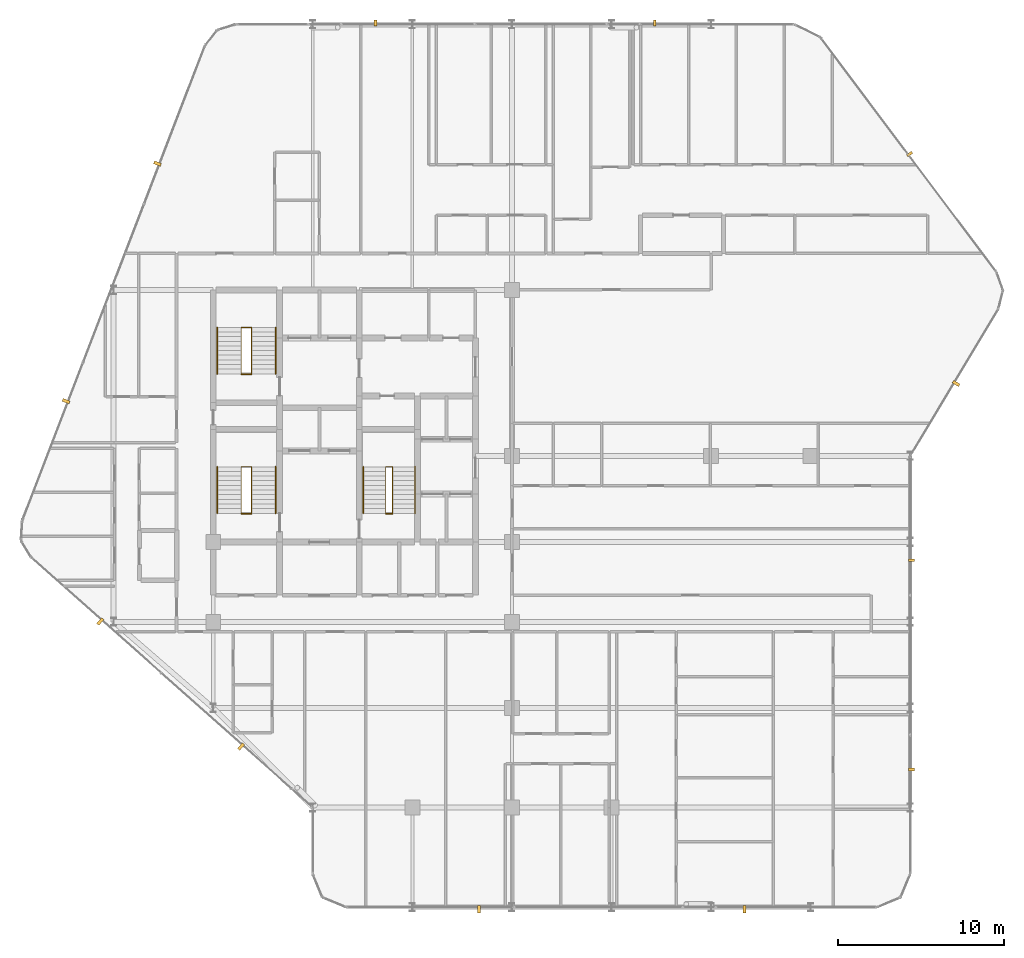
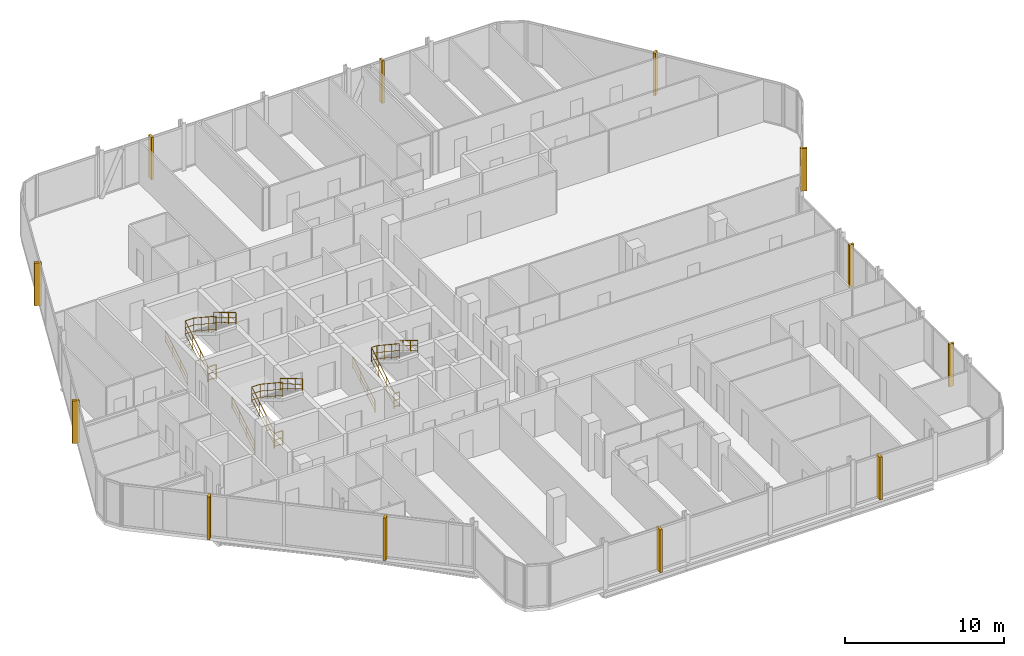
# One storey, part 31 of 31: 12 coverings, 12 railings.
"""IFC4 building model written with IfcOpenShell, lengths in metres."""

from ifc_helpers import new_model, si_unit, direction, frame, origin, origin_2d, place, context, subcontext, project, spatial, rectangle, circle, extrude, material, layer, layer_set, type_object, element, save


model = new_model("IFC4")

# Units and contexts
model_context = context("Model", 3, precision=1e-05, world=origin(), true_north=direction((0.0, 1.0)))
body_context = subcontext(model_context, "Body", "Model", "MODEL_VIEW")
ifc_project = project(units=[si_unit("LENGTHUNIT", "METRE"), si_unit("AREAUNIT", "SQUARE_METRE"), si_unit("VOLUMEUNIT", "CUBIC_METRE"), si_unit("PLANEANGLEUNIT", "RADIAN"), si_unit("MASSUNIT", "GRAM", prefix="KILO")], contexts=[model_context])

# Site, building, storey
site_placement = place(None, origin())
site = spatial("IfcSite", under=ifc_project, at=site_placement, CompositionType="ELEMENT")
building_placement = place(site_placement, origin())
building = spatial("IfcBuilding", under=site, at=building_placement, Name="Keshet Zoharim Tower", CompositionType="ELEMENT")
storey_placement = place(building_placement, frame((0.0, 0.0, 155.699951171875)))
storey = spatial("IfcBuildingStorey", under=building, at=storey_placement, Name="L38", CompositionType="ELEMENT", Elevation=155.699951171875)

# Coverings
ifc_material_1 = material(Name="Concrete C50/60 precast", Category="concrete")
covering_type_1 = type_object("IfcCoveringType", Name="FIN-SOL-360", PredefinedType="CLADDING", material=ifc_material_1)
for number, where, z_axis, x_axis, name in (
    (1, (24.780029296875, 53.97998046875, 0.0), (0.0, 0.0, 1.0), (1.0, 0.0, 0.0), "L38 Vertical Precast Solar Fin 07"),
    (2, (41.593994140625, 53.97998046875, 0.0), (0.0, 0.0, 1.0), (1.0, 0.0, 0.0), "L38 Vertical Precast Solar Fin 08"),
    (3, (56.9609375, 46.0859375, 0.0), (0.0, 0.0, 1.0), (0.600000000002, -0.799999999998, 0.0), "L38 Vertical Precast Solar Fin 09"),
    (4, (57.080078125, 21.60009765625, 0.0), (0.0, 0.0, 1.0), (0.0, -1.0, 0.0), "L38 Vertical Precast Solar Fin 11"),
    (5, (57.080078125, 9.0, 0.0), (0.0, 0.0, 1.0), (0.0, -1.0, 0.0), "L38 Vertical Precast Solar Fin 12"),
):
    element("IfcCovering", number, at=place(storey_placement, frame(where, z_axis=z_axis, x_axis=x_axis)), inside=storey, type_object=covering_type_1, Name=name, PredefinedType="CLADDING", context=body_context, shape_type="SweptSolid", body=[
        extrude(rectangle(XDim=0.159912109375, YDim=0.360107421875, at=origin_2d()), origin(), (0.0, 0.0, 1.0), 3.280029296875),
    ])
covering_type_2 = type_object("IfcCoveringType", Name="FIN-SOL-450", PredefinedType="CLADDING", material=ifc_material_1)
for number, where, z_axis, x_axis, name in (
    (6, (47.0, 0.574951171875, 0.0), (0.0, 0.0, 1.0), (-1.0, 0.0, 0.0), "L38 Vertical Precast Solar Fin 01"),
    (7, (31.0, 0.574951171875, 0.0), (0.0, 0.0, 1.0), (-1.0, 0.0, 0.0), "L38 Vertical Precast Solar Fin 02"),
    (8, (16.676025390625, 10.376953125, 0.0), (0.0, 0.0, 1.0), (-0.747409318679, 0.664363838836, 0.0), "L38 Vertical Precast Solar Fin 03"),
    (9, (8.193115234375, 17.9169921875, 0.0), (0.0, 0.0, 1.0), (-0.747409318679, 0.664363838836, 0.0), "L38 Vertical Precast Solar Fin 04"),
    (10, (6.133056640625, 31.194091796875, 0.0), (0.0, 0.0, 1.0), (0.358990003907, 0.933341404361, 0.0), "L38 Vertical Precast Solar Fin 05"),
    (11, (11.637939453125, 45.507080078125, 0.0), (0.0, 0.0, 1.0), (0.358990003907, 0.933341404361, 0.0), "L38 Vertical Precast Solar Fin 06"),
    (12, (59.760986328125, 32.259033203125, 0.0), (0.0, 0.0, 1.0), (-0.514481501576, -0.857501477862, 0.0), "L38 Vertical Precast Solar Fin 10"),
):
    element("IfcCovering", number, at=place(storey_placement, frame(where, z_axis=z_axis, x_axis=x_axis)), inside=storey, type_object=covering_type_2, Name=name, PredefinedType="CLADDING", context=body_context, shape_type="SweptSolid", body=[
        extrude(rectangle(XDim=0.179931640625, YDim=0.449951171875, at=origin_2d()), origin(), (0.0, 0.0, 1.0), 3.280029296875),
    ])

# Railings
ifc_material_2 = material(Name="Steel S355", Category="steel")
ifc_layer_1 = layer(ifc_material_2, 0.050048828125)
ifc_layer_set_1 = layer_set([ifc_layer_1], Name="Steel S355")
railing_type_1 = type_object("IfcRailingType", Name="RL-HND-092", PredefinedType="HANDRAIL", material=ifc_layer_set_1)
railing_1_placement = place(storey_placement, frame((15.239990234375, 24.43994140625, 0.168212890625)))
element("IfcRailing", 13, at=railing_1_placement, inside=storey, type_object=railing_type_1, Name="L38 ST-01 Flight 1 Wall Handrail", PredefinedType="HANDRAIL", context=body_context, shape_type="SweptSolid", body=[
    extrude(circle(Radius=0.02392578125, at=origin_2d()), frame((0.0, 0.0, 0.89599609375), z_axis=(0.0, 0.857242210791, 0.514913383045), x_axis=(-1.0, 0.0, 0.0)), (0.0, 0.0, 1.0), 3.266357421875),
    extrude(circle(Radius=0.01611328125, at=origin_2d()), frame((0.0, 0.0, 0.478271484375), z_axis=(0.0, 0.857242210791, 0.514913383045), x_axis=(-1.0, 0.0, 0.0)), (0.0, 0.0, 1.0), 3.266357421875),
    extrude(circle(Radius=0.01611328125, at=origin_2d()), frame((0.0, 0.0, 0.1201171875), z_axis=(0.0, 0.857242210791, 0.514913383045), x_axis=(-1.0, 0.0, 0.0)), (0.0, 0.0, 1.0), 3.266357421875),
    extrude(circle(Radius=0.02099609375, at=origin_2d()), origin(), (0.0, 0.0, 1.0), 0.871826171875),
    extrude(circle(Radius=0.02099609375, at=origin_2d()), frame((0.0, 0.933349609375, 0.560546875)), (0.0, 0.0, 1.0), 0.871826171875),
    extrude(circle(Radius=0.02099609375, at=origin_2d()), frame((0.0, 1.86669921875, 1.121337890625)), (0.0, 0.0, 1.0), 0.871826171875),
    extrude(circle(Radius=0.02099609375, at=origin_2d()), frame((0.0, 2.800048828125, 1.681884765625)), (0.0, 0.0, 1.0), 0.871826171875),
])
railing_2_placement = place(storey_placement, frame((18.760009765625, 27.239990234375, 2.018310546875)))
element("IfcRailing", 14, at=railing_2_placement, inside=storey, type_object=railing_type_1, Name="L38 ST-01 Flight 2 Wall Handrail", PredefinedType="HANDRAIL", context=body_context, shape_type="SweptSolid", body=[
    extrude(circle(Radius=0.02392578125, at=origin_2d()), frame((0.0, 0.0, 0.89599609375), z_axis=(0.0, -0.857275202839, 0.514858452973), x_axis=(1.0, 0.0, 0.0)), (0.0, 0.0, 1.0), 3.26611328125),
    extrude(circle(Radius=0.01611328125, at=origin_2d()), frame((0.0, 0.0, 0.478271484375), z_axis=(0.0, -0.857275202839, 0.514858452973), x_axis=(1.0, 0.0, 0.0)), (0.0, 0.0, 1.0), 3.26611328125),
    extrude(circle(Radius=0.01611328125, at=origin_2d()), frame((0.0, 0.0, 0.1201171875), z_axis=(0.0, -0.857275202839, 0.514858452973), x_axis=(1.0, 0.0, 0.0)), (0.0, 0.0, 1.0), 3.26611328125),
    extrude(circle(Radius=0.02099609375, at=origin_2d()), origin(), (0.0, 0.0, 1.0), 0.871826171875),
    extrude(circle(Radius=0.02099609375, at=origin_2d()), frame((0.0, -0.933349609375, 0.560546875)), (0.0, 0.0, 1.0), 0.871826171875),
    extrude(circle(Radius=0.02099609375, at=origin_2d()), frame((0.0, -1.86669921875, 1.12109375)), (0.0, 0.0, 1.0), 0.871826171875),
    extrude(circle(Radius=0.02099609375, at=origin_2d()), frame((0.0, -2.800048828125, 1.681640625)), (0.0, 0.0, 1.0), 0.871826171875),
])
railing_3_placement = place(storey_placement, frame((15.239990234375, 32.840087890625, 0.168212890625)))
element("IfcRailing", 15, at=railing_3_placement, inside=storey, type_object=railing_type_1, Name="L38 ST-02 Flight 1 Wall Handrail", PredefinedType="HANDRAIL", context=body_context, shape_type="SweptSolid", body=[
    extrude(circle(Radius=0.02392578125, at=origin_2d()), frame((0.0, 0.0, 0.89599609375), z_axis=(0.0, 0.857222391501, 0.514946377315), x_axis=(-1.0, 0.0, 0.0)), (0.0, 0.0, 1.0), 3.26611328125),
    extrude(circle(Radius=0.01611328125, at=origin_2d()), frame((0.0, 0.0, 0.478271484375), z_axis=(0.0, 0.857222391501, 0.514946377315), x_axis=(-1.0, 0.0, 0.0)), (0.0, 0.0, 1.0), 3.26611328125),
    extrude(circle(Radius=0.01611328125, at=origin_2d()), frame((0.0, 0.0, 0.1201171875), z_axis=(0.0, 0.857222391501, 0.514946377315), x_axis=(-1.0, 0.0, 0.0)), (0.0, 0.0, 1.0), 3.26611328125),
    extrude(circle(Radius=0.02099609375, at=origin_2d()), origin(), (0.0, 0.0, 1.0), 0.871826171875),
    extrude(circle(Radius=0.02099609375, at=origin_2d()), frame((0.0, 0.933349609375, 0.560546875)), (0.0, 0.0, 1.0), 0.871826171875),
    extrude(circle(Radius=0.02099609375, at=origin_2d()), frame((0.0, 1.866455078125, 1.121337890625)), (0.0, 0.0, 1.0), 0.871826171875),
    extrude(circle(Radius=0.02099609375, at=origin_2d()), frame((0.0, 2.7998046875, 1.681884765625)), (0.0, 0.0, 1.0), 0.871826171875),
])
railing_4_placement = place(storey_placement, frame((18.760009765625, 35.639892578125, 2.018310546875)))
element("IfcRailing", 16, at=railing_4_placement, inside=storey, type_object=railing_type_1, Name="L38 ST-02 Flight 2 Wall Handrail", PredefinedType="HANDRAIL", context=body_context, shape_type="SweptSolid", body=[
    extrude(circle(Radius=0.02392578125, at=origin_2d()), frame((0.0, 0.0, 0.89599609375), z_axis=(0.0, -0.857255387014, 0.514891446264), x_axis=(1.0, 0.0, 0.0)), (0.0, 0.0, 1.0), 3.26611328125),
    extrude(circle(Radius=0.01611328125, at=origin_2d()), frame((0.0, 0.0, 0.478271484375), z_axis=(0.0, -0.857255387014, 0.514891446264), x_axis=(1.0, 0.0, 0.0)), (0.0, 0.0, 1.0), 3.26611328125),
    extrude(circle(Radius=0.01611328125, at=origin_2d()), frame((0.0, 0.0, 0.1201171875), z_axis=(0.0, -0.857255387014, 0.514891446264), x_axis=(1.0, 0.0, 0.0)), (0.0, 0.0, 1.0), 3.26611328125),
    extrude(circle(Radius=0.02099609375, at=origin_2d()), origin(), (0.0, 0.0, 1.0), 0.871826171875),
    extrude(circle(Radius=0.02099609375, at=origin_2d()), frame((0.0, -0.933349609375, 0.560546875)), (0.0, 0.0, 1.0), 0.871826171875),
    extrude(circle(Radius=0.02099609375, at=origin_2d()), frame((0.0, -1.866455078125, 1.12109375)), (0.0, 0.0, 1.0), 0.871826171875),
    extrude(circle(Radius=0.02099609375, at=origin_2d()), frame((0.0, -2.7998046875, 1.681640625)), (0.0, 0.0, 1.0), 0.871826171875),
])
railing_5_placement = place(storey_placement, frame((24.0400390625, 24.43994140625, 0.168212890625)))
element("IfcRailing", 17, at=railing_5_placement, inside=storey, type_object=railing_type_1, Name="L38 ST-03 Flight 1 Wall Handrail", PredefinedType="HANDRAIL", context=body_context, shape_type="SweptSolid", body=[
    extrude(circle(Radius=0.02392578125, at=origin_2d()), frame((0.0, 0.0, 0.89599609375), z_axis=(0.0, 0.857242210791, 0.514913383045), x_axis=(-1.0, 0.0, 0.0)), (0.0, 0.0, 1.0), 3.266357421875),
    extrude(circle(Radius=0.01611328125, at=origin_2d()), frame((0.0, 0.0, 0.478271484375), z_axis=(0.0, 0.857242210791, 0.514913383045), x_axis=(-1.0, 0.0, 0.0)), (0.0, 0.0, 1.0), 3.266357421875),
    extrude(circle(Radius=0.01611328125, at=origin_2d()), frame((0.0, 0.0, 0.1201171875), z_axis=(0.0, 0.857242210791, 0.514913383045), x_axis=(-1.0, 0.0, 0.0)), (0.0, 0.0, 1.0), 3.266357421875),
    extrude(circle(Radius=0.02099609375, at=origin_2d()), origin(), (0.0, 0.0, 1.0), 0.871826171875),
    extrude(circle(Radius=0.02099609375, at=origin_2d()), frame((0.0, 0.933349609375, 0.560546875)), (0.0, 0.0, 1.0), 0.871826171875),
    extrude(circle(Radius=0.02099609375, at=origin_2d()), frame((0.0, 1.86669921875, 1.121337890625)), (0.0, 0.0, 1.0), 0.871826171875),
    extrude(circle(Radius=0.02099609375, at=origin_2d()), frame((0.0, 2.800048828125, 1.681884765625)), (0.0, 0.0, 1.0), 0.871826171875),
])
railing_6_placement = place(storey_placement, frame((27.159912109375, 27.239990234375, 2.018310546875)))
element("IfcRailing", 18, at=railing_6_placement, inside=storey, type_object=railing_type_1, Name="L38 ST-03 Flight 2 Wall Handrail", PredefinedType="HANDRAIL", context=body_context, shape_type="SweptSolid", body=[
    extrude(circle(Radius=0.02392578125, at=origin_2d()), frame((0.0, 0.0, 0.89599609375), z_axis=(0.0, -0.857275202839, 0.514858452973), x_axis=(1.0, 0.0, 0.0)), (0.0, 0.0, 1.0), 3.26611328125),
    extrude(circle(Radius=0.01611328125, at=origin_2d()), frame((0.0, 0.0, 0.478271484375), z_axis=(0.0, -0.857275202839, 0.514858452973), x_axis=(1.0, 0.0, 0.0)), (0.0, 0.0, 1.0), 3.26611328125),
    extrude(circle(Radius=0.01611328125, at=origin_2d()), frame((0.0, 0.0, 0.1201171875), z_axis=(0.0, -0.857275202839, 0.514858452973), x_axis=(1.0, 0.0, 0.0)), (0.0, 0.0, 1.0), 3.26611328125),
    extrude(circle(Radius=0.02099609375, at=origin_2d()), origin(), (0.0, 0.0, 1.0), 0.871826171875),
    extrude(circle(Radius=0.02099609375, at=origin_2d()), frame((0.0, -0.933349609375, 0.560546875)), (0.0, 0.0, 1.0), 0.871826171875),
    extrude(circle(Radius=0.02099609375, at=origin_2d()), frame((0.0, -1.86669921875, 1.12109375)), (0.0, 0.0, 1.0), 0.871826171875),
    extrude(circle(Radius=0.02099609375, at=origin_2d()), frame((0.0, -2.800048828125, 1.681640625)), (0.0, 0.0, 1.0), 0.871826171875),
])
ifc_layer_2 = layer(ifc_material_2, 0.06005859375)
ifc_layer_set_2 = layer_set([ifc_layer_2], Name="Steel S355")
railing_type_2 = type_object("IfcRailingType", Name="RL-STG-115", PredefinedType="GUARDRAIL", material=ifc_layer_set_2)
railing_7_placement = place(storey_placement, frame((16.68994140625, 24.43994140625, 0.168212890625)))
element("IfcRailing", 19, at=railing_7_placement, inside=storey, type_object=railing_type_2, Name="L38 ST-01 Inner Well Guardrail", PredefinedType="GUARDRAIL", context=body_context, shape_type="SweptSolid", body=[
    extrude(circle(Radius=0.02392578125, at=origin_2d()), frame((0.0, 0.0, 1.1259765625), z_axis=(0.0, 0.857242210791, 0.514913383045), x_axis=(-1.0, 0.0, 0.0)), (0.0, 0.0, 1.0), 3.266357421875),
    extrude(circle(Radius=0.01611328125, at=origin_2d()), frame((0.0, 0.0, 0.597900390625), z_axis=(0.0, 0.857242210791, 0.514913383045), x_axis=(-1.0, 0.0, 0.0)), (0.0, 0.0, 1.0), 3.266357421875),
    extrude(circle(Radius=0.01611328125, at=origin_2d()), frame((0.0, 0.0, 0.1201171875), z_axis=(0.0, 0.857242210791, 0.514913383045), x_axis=(-1.0, 0.0, 0.0)), (0.0, 0.0, 1.0), 3.266357421875),
    extrude(circle(Radius=0.02392578125, at=origin_2d()), frame((0.0, 2.800048828125, 2.8076171875), z_axis=(1.0, 0.0, 0.0), x_axis=(0.0, 1.0, 0.0)), (0.0, 0.0, 1.0), 0.6201171875),
    extrude(circle(Radius=0.01611328125, at=origin_2d()), frame((0.0, 2.800048828125, 2.27978515625), z_axis=(1.0, 0.0, 0.0), x_axis=(0.0, 1.0, 0.0)), (0.0, 0.0, 1.0), 0.6201171875),
    extrude(circle(Radius=0.01611328125, at=origin_2d()), frame((0.0, 2.800048828125, 1.802001953125), z_axis=(1.0, 0.0, 0.0), x_axis=(0.0, 1.0, 0.0)), (0.0, 0.0, 1.0), 0.6201171875),
    extrude(circle(Radius=0.02392578125, at=origin_2d()), frame((0.6201171875, 2.800048828125, 2.8076171875), z_axis=(0.0, -0.83435981716, 0.551220187865), x_axis=(1.0, 0.0, 0.0)), (0.0, 0.0, 1.0), 3.35595703125),
    extrude(circle(Radius=0.01611328125, at=origin_2d()), frame((0.6201171875, 2.800048828125, 2.27978515625), z_axis=(0.0, -0.83435981716, 0.551220187865), x_axis=(1.0, 0.0, 0.0)), (0.0, 0.0, 1.0), 3.35595703125),
    extrude(circle(Radius=0.01611328125, at=origin_2d()), frame((0.6201171875, 2.800048828125, 1.802001953125), z_axis=(0.0, -0.83435981716, 0.551220187865), x_axis=(1.0, 0.0, 0.0)), (0.0, 0.0, 1.0), 3.35595703125),
    extrude(circle(Radius=0.02099609375, at=origin_2d()), origin(), (0.0, 0.0, 1.0), 1.101806640625),
    extrude(circle(Radius=0.02099609375, at=origin_2d()), frame((0.0, 0.933349609375, 0.560546875)), (0.0, 0.0, 1.0), 1.101806640625),
    extrude(circle(Radius=0.02099609375, at=origin_2d()), frame((0.0, 1.86669921875, 1.121337890625)), (0.0, 0.0, 1.0), 1.101806640625),
    extrude(circle(Radius=0.02099609375, at=origin_2d()), frame((0.0, 2.800048828125, 1.681884765625)), (0.0, 0.0, 1.0), 1.101806640625),
    extrude(circle(Radius=0.02099609375, at=origin_2d()), frame((0.6201171875, 2.800048828125, 1.681884765625)), (0.0, 0.0, 1.0), 1.101806640625),
    extrude(circle(Radius=0.02099609375, at=origin_2d()), frame((0.6201171875, 1.86669921875, 2.298583984375)), (0.0, 0.0, 1.0), 1.101806640625),
    extrude(circle(Radius=0.02099609375, at=origin_2d()), frame((0.6201171875, 0.933349609375, 2.9150390625)), (0.0, 0.0, 1.0), 1.101806640625),
    extrude(circle(Radius=0.02099609375, at=origin_2d()), frame((0.6201171875, 0.0, 3.53173828125)), (0.0, 0.0, 1.0), 1.101806640625),
])
railing_8_placement = place(storey_placement, frame((16.68994140625, 24.409912109375, 0.0)))
element("IfcRailing", 20, at=railing_8_placement, inside=storey, type_object=railing_type_2, Name="L38 ST-01 Stairwell Floor Guardrail", PredefinedType="GUARDRAIL", context=body_context, shape_type="SweptSolid", body=[
    extrude(circle(Radius=0.02392578125, at=origin_2d()), frame((0.0, 0.0, 1.1259765625), z_axis=(1.0, 0.0, 0.0), x_axis=(0.0, 1.0, 0.0)), (0.0, 0.0, 1.0), 0.6201171875),
    extrude(circle(Radius=0.01611328125, at=origin_2d()), frame((0.0, 0.0, 0.597900390625), z_axis=(1.0, 0.0, 0.0), x_axis=(0.0, 1.0, 0.0)), (0.0, 0.0, 1.0), 0.6201171875),
    extrude(circle(Radius=0.01611328125, at=origin_2d()), frame((0.0, 0.0, 0.1201171875), z_axis=(1.0, 0.0, 0.0), x_axis=(0.0, 1.0, 0.0)), (0.0, 0.0, 1.0), 0.6201171875),
    extrude(circle(Radius=0.02099609375, at=origin_2d()), origin(), (0.0, 0.0, 1.0), 1.101806640625),
    extrude(circle(Radius=0.02099609375, at=origin_2d()), frame((0.6201171875, 0.0, 0.0)), (0.0, 0.0, 1.0), 1.101806640625),
])
railing_9_placement = place(storey_placement, frame((16.68994140625, 32.840087890625, 0.168212890625)))
element("IfcRailing", 21, at=railing_9_placement, inside=storey, type_object=railing_type_2, Name="L38 ST-02 Inner Well Guardrail", PredefinedType="GUARDRAIL", context=body_context, shape_type="SweptSolid", body=[
    extrude(circle(Radius=0.02392578125, at=origin_2d()), frame((0.0, 0.0, 1.1259765625), z_axis=(0.0, 0.857222391501, 0.514946377315), x_axis=(-1.0, 0.0, 0.0)), (0.0, 0.0, 1.0), 3.26611328125),
    extrude(circle(Radius=0.01611328125, at=origin_2d()), frame((0.0, 0.0, 0.597900390625), z_axis=(0.0, 0.857222391501, 0.514946377315), x_axis=(-1.0, 0.0, 0.0)), (0.0, 0.0, 1.0), 3.26611328125),
    extrude(circle(Radius=0.01611328125, at=origin_2d()), frame((0.0, 0.0, 0.1201171875), z_axis=(0.0, 0.857222391501, 0.514946377315), x_axis=(-1.0, 0.0, 0.0)), (0.0, 0.0, 1.0), 3.26611328125),
    extrude(circle(Radius=0.02392578125, at=origin_2d()), frame((0.0, 2.7998046875, 2.8076171875), z_axis=(1.0, 0.0, 0.0), x_axis=(0.0, 1.0, 0.0)), (0.0, 0.0, 1.0), 0.6201171875),
    extrude(circle(Radius=0.01611328125, at=origin_2d()), frame((0.0, 2.7998046875, 2.27978515625), z_axis=(1.0, 0.0, 0.0), x_axis=(0.0, 1.0, 0.0)), (0.0, 0.0, 1.0), 0.6201171875),
    extrude(circle(Radius=0.01611328125, at=origin_2d()), frame((0.0, 2.7998046875, 1.802001953125), z_axis=(1.0, 0.0, 0.0), x_axis=(0.0, 1.0, 0.0)), (0.0, 0.0, 1.0), 0.6201171875),
    extrude(circle(Radius=0.02392578125, at=origin_2d()), frame((0.6201171875, 2.7998046875, 2.8076171875), z_axis=(0.0, -0.834337710781, 0.551253647941), x_axis=(1.0, 0.0, 0.0)), (0.0, 0.0, 1.0), 3.355712890625),
    extrude(circle(Radius=0.01611328125, at=origin_2d()), frame((0.6201171875, 2.7998046875, 2.27978515625), z_axis=(0.0, -0.834337710781, 0.551253647941), x_axis=(1.0, 0.0, 0.0)), (0.0, 0.0, 1.0), 3.355712890625),
    extrude(circle(Radius=0.01611328125, at=origin_2d()), frame((0.6201171875, 2.7998046875, 1.802001953125), z_axis=(0.0, -0.834337710781, 0.551253647941), x_axis=(1.0, 0.0, 0.0)), (0.0, 0.0, 1.0), 3.355712890625),
    extrude(circle(Radius=0.02099609375, at=origin_2d()), origin(), (0.0, 0.0, 1.0), 1.101806640625),
    extrude(circle(Radius=0.02099609375, at=origin_2d()), frame((0.0, 0.933349609375, 0.560546875)), (0.0, 0.0, 1.0), 1.101806640625),
    extrude(circle(Radius=0.02099609375, at=origin_2d()), frame((0.0, 1.866455078125, 1.121337890625)), (0.0, 0.0, 1.0), 1.101806640625),
    extrude(circle(Radius=0.02099609375, at=origin_2d()), frame((0.0, 2.7998046875, 1.681884765625)), (0.0, 0.0, 1.0), 1.101806640625),
    extrude(circle(Radius=0.02099609375, at=origin_2d()), frame((0.6201171875, 2.7998046875, 1.681884765625)), (0.0, 0.0, 1.0), 1.101806640625),
    extrude(circle(Radius=0.02099609375, at=origin_2d()), frame((0.6201171875, 1.866455078125, 2.298583984375)), (0.0, 0.0, 1.0), 1.101806640625),
    extrude(circle(Radius=0.02099609375, at=origin_2d()), frame((0.6201171875, 0.933349609375, 2.9150390625)), (0.0, 0.0, 1.0), 1.101806640625),
    extrude(circle(Radius=0.02099609375, at=origin_2d()), frame((0.6201171875, 0.0, 3.53173828125)), (0.0, 0.0, 1.0), 1.101806640625),
])
railing_10_placement = place(storey_placement, frame((16.68994140625, 32.81005859375, 0.0)))
element("IfcRailing", 22, at=railing_10_placement, inside=storey, type_object=railing_type_2, Name="L38 ST-02 Stairwell Floor Guardrail", PredefinedType="GUARDRAIL", context=body_context, shape_type="SweptSolid", body=[
    extrude(circle(Radius=0.02392578125, at=origin_2d()), frame((0.0, 0.0, 1.1259765625), z_axis=(1.0, 0.0, 0.0), x_axis=(0.0, 1.0, 0.0)), (0.0, 0.0, 1.0), 0.6201171875),
    extrude(circle(Radius=0.01611328125, at=origin_2d()), frame((0.0, 0.0, 0.597900390625), z_axis=(1.0, 0.0, 0.0), x_axis=(0.0, 1.0, 0.0)), (0.0, 0.0, 1.0), 0.6201171875),
    extrude(circle(Radius=0.01611328125, at=origin_2d()), frame((0.0, 0.0, 0.1201171875), z_axis=(1.0, 0.0, 0.0), x_axis=(0.0, 1.0, 0.0)), (0.0, 0.0, 1.0), 0.6201171875),
    extrude(circle(Radius=0.02099609375, at=origin_2d()), origin(), (0.0, 0.0, 1.0), 1.101806640625),
    extrude(circle(Radius=0.02099609375, at=origin_2d()), frame((0.6201171875, 0.0, 0.0)), (0.0, 0.0, 1.0), 1.101806640625),
])
railing_11_placement = place(storey_placement, frame((25.39990234375, 24.43994140625, 0.168212890625)))
element("IfcRailing", 23, at=railing_11_placement, inside=storey, type_object=railing_type_2, Name="L38 ST-03 Inner Well Guardrail", PredefinedType="GUARDRAIL", context=body_context, shape_type="SweptSolid", body=[
    extrude(circle(Radius=0.02392578125, at=origin_2d()), frame((0.0, 0.0, 1.1259765625), z_axis=(0.0, 0.857242210791, 0.514913383045), x_axis=(-1.0, 0.0, 0.0)), (0.0, 0.0, 1.0), 3.266357421875),
    extrude(circle(Radius=0.01611328125, at=origin_2d()), frame((0.0, 0.0, 0.597900390625), z_axis=(0.0, 0.857242210791, 0.514913383045), x_axis=(-1.0, 0.0, 0.0)), (0.0, 0.0, 1.0), 3.266357421875),
    extrude(circle(Radius=0.01611328125, at=origin_2d()), frame((0.0, 0.0, 0.1201171875), z_axis=(0.0, 0.857242210791, 0.514913383045), x_axis=(-1.0, 0.0, 0.0)), (0.0, 0.0, 1.0), 3.266357421875),
    extrude(circle(Radius=0.02392578125, at=origin_2d()), frame((0.0, 2.800048828125, 2.8076171875), z_axis=(1.0, 0.0, 0.0), x_axis=(0.0, 1.0, 0.0)), (0.0, 0.0, 1.0), 0.400146484375),
    extrude(circle(Radius=0.01611328125, at=origin_2d()), frame((0.0, 2.800048828125, 2.27978515625), z_axis=(1.0, 0.0, 0.0), x_axis=(0.0, 1.0, 0.0)), (0.0, 0.0, 1.0), 0.400146484375),
    extrude(circle(Radius=0.01611328125, at=origin_2d()), frame((0.0, 2.800048828125, 1.802001953125), z_axis=(1.0, 0.0, 0.0), x_axis=(0.0, 1.0, 0.0)), (0.0, 0.0, 1.0), 0.400146484375),
    extrude(circle(Radius=0.02392578125, at=origin_2d()), frame((0.400146484375, 2.800048828125, 2.8076171875), z_axis=(0.0, -0.83435981716, 0.551220187865), x_axis=(1.0, 0.0, 0.0)), (0.0, 0.0, 1.0), 3.35595703125),
    extrude(circle(Radius=0.01611328125, at=origin_2d()), frame((0.400146484375, 2.800048828125, 2.27978515625), z_axis=(0.0, -0.83435981716, 0.551220187865), x_axis=(1.0, 0.0, 0.0)), (0.0, 0.0, 1.0), 3.35595703125),
    extrude(circle(Radius=0.01611328125, at=origin_2d()), frame((0.400146484375, 2.800048828125, 1.802001953125), z_axis=(0.0, -0.83435981716, 0.551220187865), x_axis=(1.0, 0.0, 0.0)), (0.0, 0.0, 1.0), 3.35595703125),
    extrude(circle(Radius=0.02099609375, at=origin_2d()), origin(), (0.0, 0.0, 1.0), 1.101806640625),
    extrude(circle(Radius=0.02099609375, at=origin_2d()), frame((0.0, 0.933349609375, 0.560546875)), (0.0, 0.0, 1.0), 1.101806640625),
    extrude(circle(Radius=0.02099609375, at=origin_2d()), frame((0.0, 1.86669921875, 1.121337890625)), (0.0, 0.0, 1.0), 1.101806640625),
    extrude(circle(Radius=0.02099609375, at=origin_2d()), frame((0.0, 2.800048828125, 1.681884765625)), (0.0, 0.0, 1.0), 1.101806640625),
    extrude(circle(Radius=0.02099609375, at=origin_2d()), frame((0.400146484375, 2.800048828125, 1.681884765625)), (0.0, 0.0, 1.0), 1.101806640625),
    extrude(circle(Radius=0.02099609375, at=origin_2d()), frame((0.400146484375, 1.86669921875, 2.298583984375)), (0.0, 0.0, 1.0), 1.101806640625),
    extrude(circle(Radius=0.02099609375, at=origin_2d()), frame((0.400146484375, 0.933349609375, 2.9150390625)), (0.0, 0.0, 1.0), 1.101806640625),
    extrude(circle(Radius=0.02099609375, at=origin_2d()), frame((0.400146484375, 0.0, 3.53173828125)), (0.0, 0.0, 1.0), 1.101806640625),
])
railing_12_placement = place(storey_placement, frame((25.39990234375, 24.409912109375, 0.0)))
element("IfcRailing", 24, at=railing_12_placement, inside=storey, type_object=railing_type_2, Name="L38 ST-03 Stairwell Floor Guardrail", PredefinedType="GUARDRAIL", context=body_context, shape_type="SweptSolid", body=[
    extrude(circle(Radius=0.02392578125, at=origin_2d()), frame((0.0, 0.0, 1.1259765625), z_axis=(1.0, 0.0, 0.0), x_axis=(0.0, 1.0, 0.0)), (0.0, 0.0, 1.0), 0.400146484375),
    extrude(circle(Radius=0.01611328125, at=origin_2d()), frame((0.0, 0.0, 0.597900390625), z_axis=(1.0, 0.0, 0.0), x_axis=(0.0, 1.0, 0.0)), (0.0, 0.0, 1.0), 0.400146484375),
    extrude(circle(Radius=0.01611328125, at=origin_2d()), frame((0.0, 0.0, 0.1201171875), z_axis=(1.0, 0.0, 0.0), x_axis=(0.0, 1.0, 0.0)), (0.0, 0.0, 1.0), 0.400146484375),
    extrude(circle(Radius=0.02099609375, at=origin_2d()), origin(), (0.0, 0.0, 1.0), 1.101806640625),
    extrude(circle(Radius=0.02099609375, at=origin_2d()), frame((0.400146484375, 0.0, 0.0)), (0.0, 0.0, 1.0), 1.101806640625),
])

save(model, "model.ifc")
